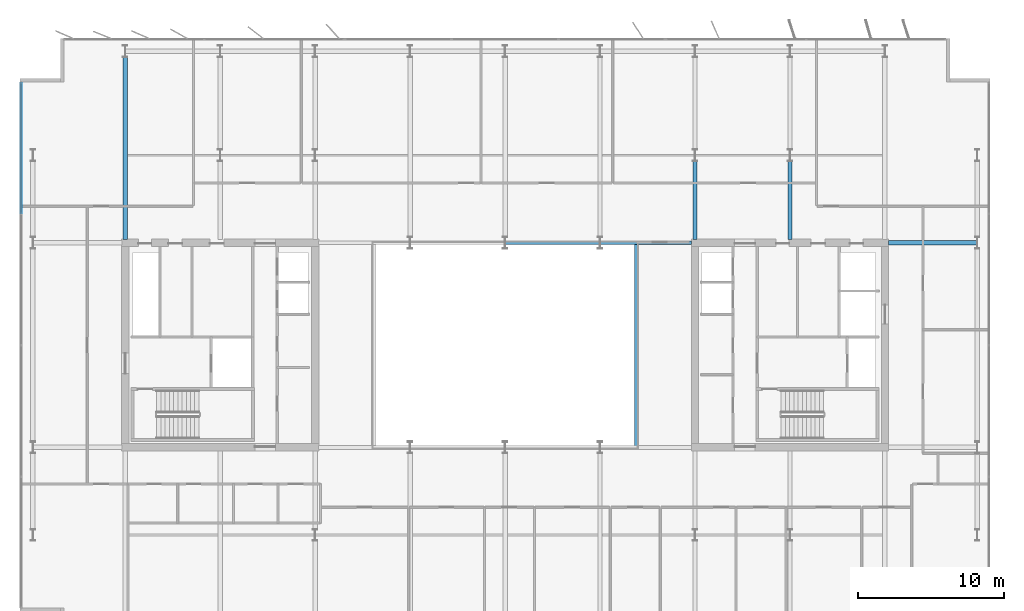
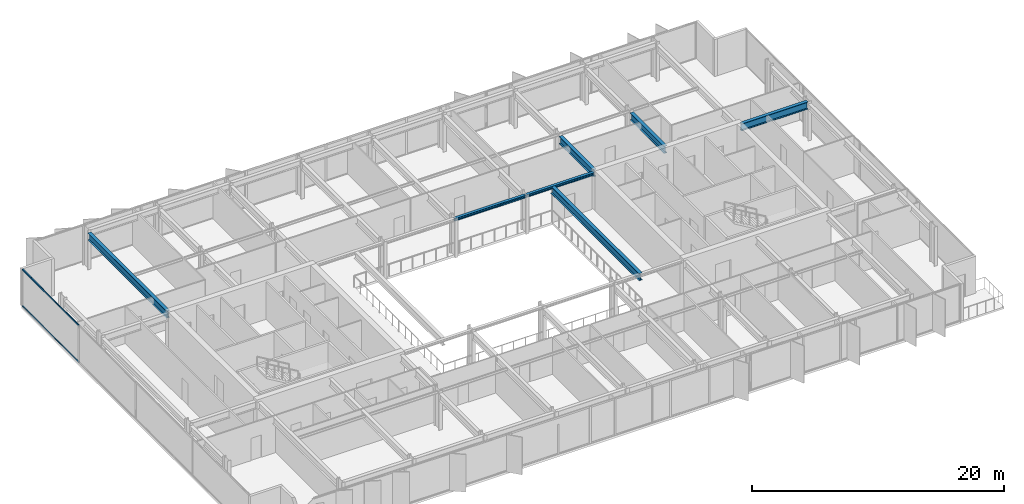
# One storey, part 9 of 24: 7 beams, 2 members, 1 element without a shape of its own.
"""IFC4 building model written with IfcOpenShell, lengths in metres."""

from ifc_helpers import new_model, si_unit, direction, frame, origin, origin_2d, place, context, subcontext, project, spatial, rectangle, i_section, extrude, material, layer, layer_set, material_profile, profile_set, type_object, element, aggregate, save


model = new_model("IFC4")

# Units and contexts
model_context = context("Model", 3, precision=1e-05, world=origin(), true_north=direction((0.0, 1.0)))
body_context = subcontext(model_context, "Body", "Model", "MODEL_VIEW")
ifc_project = project(units=[si_unit("LENGTHUNIT", "METRE"), si_unit("AREAUNIT", "SQUARE_METRE"), si_unit("VOLUMEUNIT", "CUBIC_METRE"), si_unit("PLANEANGLEUNIT", "RADIAN"), si_unit("MASSUNIT", "GRAM", prefix="KILO")], contexts=[model_context])

# Site, building, storey
site_placement = place(None, origin())
site = spatial("IfcSite", under=ifc_project, at=site_placement, CompositionType="ELEMENT")
building_placement = place(site_placement, origin())
building = spatial("IfcBuilding", under=site, at=building_placement, Name="Putna Gate Headquarters", CompositionType="ELEMENT")
storey_placement = place(building_placement, frame((0.0, 0.0, 244.199951171875)))
storey = spatial("IfcBuildingStorey", under=building, at=storey_placement, Name="L61", CompositionType="ELEMENT", Elevation=244.199951171875)

# Beams
ifc_material_1 = material(Name="Steel S355J2", Category="steel")
ifc_material_profile_1 = material_profile(ifc_material_1, i_section(OverallWidth=0.260009765625, OverallDepth=0.260009765625, WebThickness=0.010009765625, FlangeThickness=0.017578125, at=origin_2d()), Name="Steel S355J2")
ifc_profile_set_1 = profile_set([ifc_material_profile_1], Name="Steel S355J2")
beam_type_1 = type_object("IfcBeamType", Name="BM-ATRIUM-HEB260", PredefinedType="BEAM", material=ifc_profile_set_1)
beam_1_placement = place(storey_placement, frame((39.006103515625, 33.0, 3.449951171875), z_axis=(1.0, 0.0, 0.0), x_axis=(0.0, 1.0, 0.0)))
element("IfcBeam", 1, at=beam_1_placement, inside=storey, type_object=beam_type_1, Name="L61 Atrium Edge Beam AN3", PredefinedType="BEAM", context=body_context, shape_type="SweptSolid", body=[
    extrude(i_section(OverallWidth=0.260009765625, OverallDepth=0.260009765625, WebThickness=0.010009765625, FlangeThickness=0.017578125, at=origin_2d()), origin(), (0.0, 0.0, 1.0), 6.48779296875),
])
beam_2_placement = place(storey_placement, frame((45.506103515625, 33.0, 3.449951171875), z_axis=(1.0, 0.0, 0.0), x_axis=(0.0, 1.0, 0.0)))
element("IfcBeam", 2, at=beam_2_placement, inside=storey, type_object=beam_type_1, Name="L61 Atrium Edge Beam AN4", PredefinedType="BEAM", context=body_context, shape_type="SweptSolid", body=[
    extrude(i_section(OverallWidth=0.260009765625, OverallDepth=0.260009765625, WebThickness=0.010009765625, FlangeThickness=0.017578125, at=origin_2d()), origin(), (0.0, 0.0, 1.0), 6.2587890625),
])
ifc_material_profile_2 = material_profile(ifc_material_1, i_section(OverallWidth=0.300048828125, OverallDepth=0.699951171875, WebThickness=0.01708984375, FlangeThickness=0.031982421875, at=origin_2d()), Name="Steel S355J2")
ifc_profile_set_2 = profile_set([ifc_material_profile_2], Name="Steel S355J2")
beam_type_2 = type_object("IfcBeamType", Name="BM-GIRD-B-HEB700", PredefinedType="USERDEFINED", material=ifc_profile_set_2)
beam_3_placement = place(storey_placement, frame((65.235107421875, 33.0, 3.22998046875), z_axis=(1.0, 0.0, 0.0), x_axis=(0.0, 1.0, 0.0)))
element("IfcBeam", 3, at=beam_3_placement, inside=storey, type_object=beam_type_2, Name="L61 East Wing Girder Y33", ObjectType="GIRDER", PredefinedType="USERDEFINED", context=body_context, shape_type="SweptSolid", body=[
    extrude(i_section(OverallWidth=0.300048828125, OverallDepth=0.699951171875, WebThickness=0.01708984375, FlangeThickness=0.031982421875, at=origin_2d()), origin(), (0.0, 0.0, 1.0), 6.078857421875),
])
beam_4_placement = place(storey_placement, frame((13.0, 33.235107421875, 3.22998046875), z_axis=(0.0, 1.0, 0.0), x_axis=(-1.0, 0.0, 0.0)))
element("IfcBeam", 4, at=beam_4_placement, inside=storey, type_object=beam_type_2, Name="L61 North Primary Girder X13", ObjectType="GIRDER", PredefinedType="USERDEFINED", context=body_context, shape_type="SweptSolid", body=[
    extrude(i_section(OverallWidth=0.300048828125, OverallDepth=0.699951171875, WebThickness=0.01708984375, FlangeThickness=0.031982421875, at=origin_2d()), origin(), (0.0, 0.0, 1.0), 12.489990234375),
])
for number, where, z_axis, x_axis, name in (
    (5, (52.0, 33.235107421875, 3.22998046875), (0.0, 1.0, 0.0), (-1.0, 0.0, 0.0), "L61 North Primary Girder X52-1"),
    (6, (58.5, 33.235107421875, 3.22998046875), (0.0, 1.0, 0.0), (-1.0, 0.0, 0.0), "L61 North Primary Girder X58-1"),
):
    element("IfcBeam", number, at=place(storey_placement, frame(where, z_axis=z_axis, x_axis=x_axis)), inside=storey, type_object=beam_type_2, Name=name, ObjectType="GIRDER", PredefinedType="USERDEFINED", context=body_context, shape_type="SweptSolid", body=[
        extrude(i_section(OverallWidth=0.300048828125, OverallDepth=0.699951171875, WebThickness=0.01708984375, FlangeThickness=0.031982421875, at=origin_2d()), origin(), (0.0, 0.0, 1.0), 5.369873046875),
    ])
beam_5_placement = place(storey_placement, frame((48.0, 19.010009765625, 3.22998046875), z_axis=(0.0, 1.0, 0.0), x_axis=(-1.0, 0.0, 0.0)))
element("IfcBeam", 7, at=beam_5_placement, inside=storey, type_object=beam_type_2, Name="L61 Atrium Trim Girder AE", ObjectType="GIRDER", PredefinedType="USERDEFINED", context=body_context, shape_type="SweptSolid", body=[
    extrude(i_section(OverallWidth=0.300048828125, OverallDepth=0.699951171875, WebThickness=0.01708984375, FlangeThickness=0.031982421875, at=origin_2d()), origin(), (0.0, 0.0, 1.0), 13.97998046875),
])

# Curtain wall, members
ifc_material_2 = material(Name="Anodised bronze aluminium curtain wall", Category="aluminium")
ifc_layer = layer(ifc_material_2, 0.139892578125)
ifc_layer_set = layer_set([ifc_layer], Name="Anodised bronze aluminium curtain wall")
curtain_wall_type = type_object("IfcCurtainWallType", Name="CW-SYS-Z4", PredefinedType="USERDEFINED", material=ifc_layer_set)
curtain_wall_placement = place(storey_placement, origin())
curtain_wall = element("IfcCurtainWall", 8, at=curtain_wall_placement, inside=storey, type_object=curtain_wall_type, Name="L61 West Curtain Wall", ObjectType="STICK CURTAIN WALL", PredefinedType="USERDEFINED")
ifc_material_3 = material(Name="Anodised bronze aluminium EN AW-6060", Category="aluminium")
ifc_material_profile_3 = material_profile(ifc_material_3, rectangle(XDim=0.06005859375, YDim=0.10009765625, at=origin_2d()), Name="Anodised bronze aluminium EN AW-6060")
ifc_profile_set_3 = profile_set([ifc_material_profile_3], Name="Anodised bronze aluminium EN AW-6060")
member_type = type_object("IfcMemberType", Name="TRAN-CWT-4", PredefinedType="USERDEFINED", material=ifc_profile_set_3)
member_1_placement = place(storey_placement, frame((5.8798828125, 35.030029296875, 0.030029296875), z_axis=(0.0, 1.0, 0.0), x_axis=(-1.0, 0.0, 0.0)))
member_1 = element("IfcMember", 9, at=member_1_placement, type_object=member_type, Name="CWS-4 transom 4.1", ObjectType="TRANSOM", PredefinedType="USERDEFINED", context=body_context, shape_type="SweptSolid", body=[
    extrude(rectangle(XDim=0.06005859375, YDim=0.10009765625, at=origin_2d()), origin(), (0.0, 0.0, 1.0), 8.909912109375),
])
member_2_placement = place(storey_placement, frame((5.8798828125, 35.030029296875, 3.550048828125), z_axis=(0.0, 1.0, 0.0), x_axis=(-1.0, 0.0, 0.0)))
member_2 = element("IfcMember", 10, at=member_2_placement, type_object=member_type, Name="CWS-4 transom 4.2", ObjectType="TRANSOM", PredefinedType="USERDEFINED", context=body_context, shape_type="SweptSolid", body=[
    extrude(rectangle(XDim=0.06005859375, YDim=0.10009765625, at=origin_2d()), origin(), (0.0, 0.0, 1.0), 8.909912109375),
])
aggregate(curtain_wall, [member_1, member_2])

save(model, "model.ifc")
